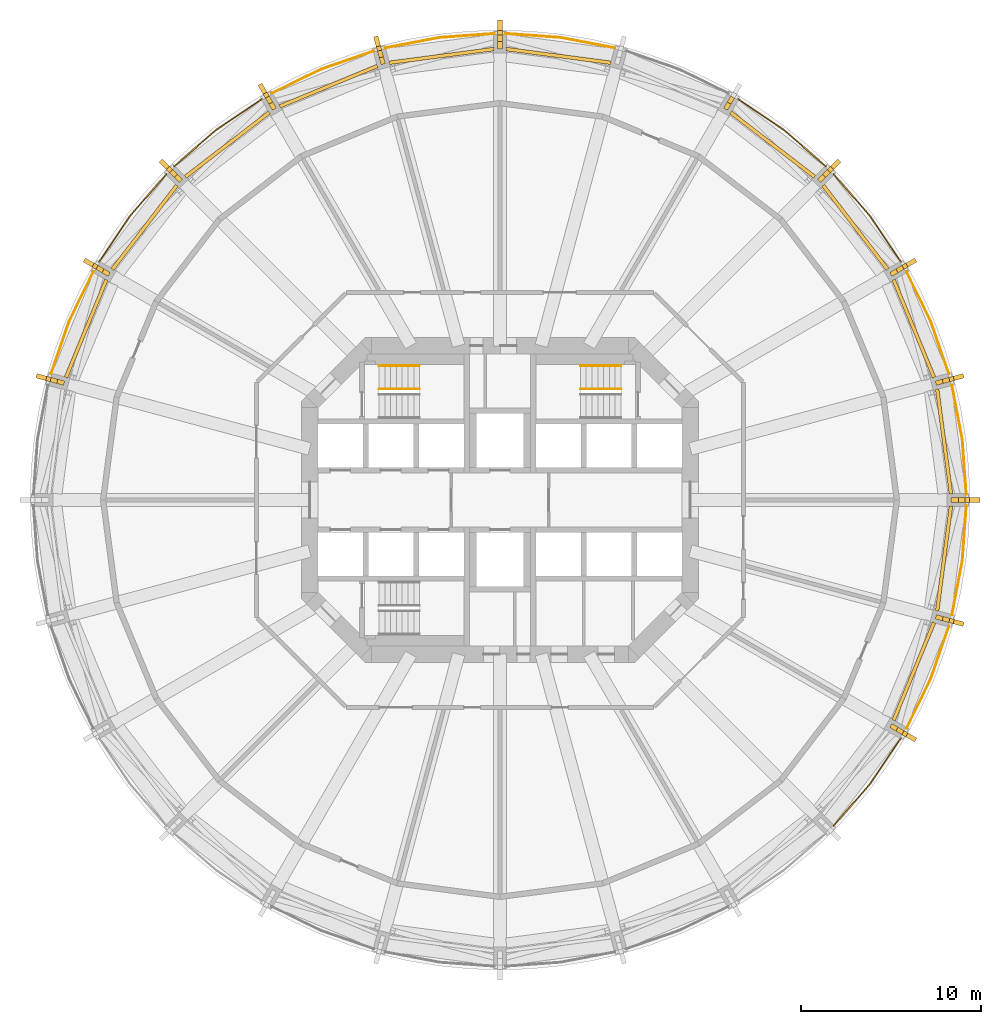
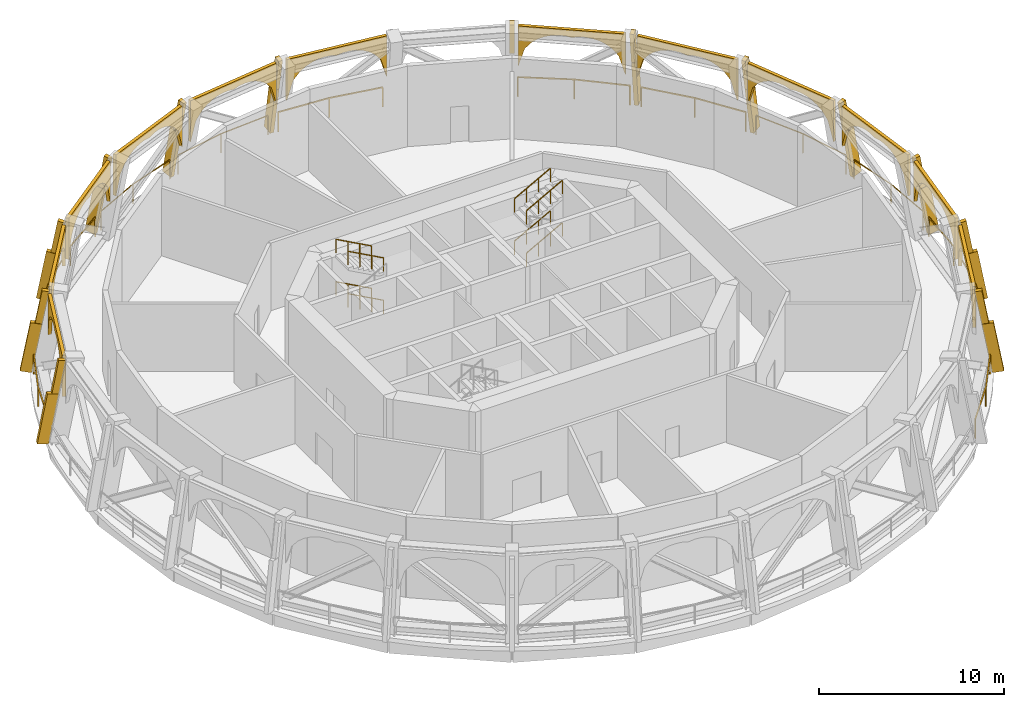
# One storey, part 8 of 9: 37 coverings, 21 railings.
"""IFC4 building model written with IfcOpenShell, lengths in metres."""

from ifc_helpers import new_model, si_unit, direction, frame, origin, origin_2d, place, context, subcontext, project, spatial, polyline, rectangle, outline, extrude, material, layer, layer_set, material_profile, profile_set, type_object, element, save


model = new_model("IFC4")

# Units and contexts
model_context = context("Model", 3, precision=1e-05, world=origin(), true_north=direction((0.0, 1.0)))
body_context = subcontext(model_context, "Body", "Model", "MODEL_VIEW")
ifc_project = project(units=[si_unit("LENGTHUNIT", "METRE"), si_unit("AREAUNIT", "SQUARE_METRE"), si_unit("VOLUMEUNIT", "CUBIC_METRE"), si_unit("PLANEANGLEUNIT", "RADIAN"), si_unit("MASSUNIT", "GRAM", prefix="KILO")], contexts=[model_context])

# Site, building, storey
site_placement = place(None, origin())
site = spatial("IfcSite", under=ifc_project, at=site_placement, CompositionType="ELEMENT")
building_placement = place(site_placement, origin())
building = spatial("IfcBuilding", under=site, at=building_placement, Name="Torre Triforio", CompositionType="ELEMENT")
storey_placement = place(building_placement, frame((0.0, 0.0, 110.60009765625)))
storey = spatial("IfcBuildingStorey", under=building, at=storey_placement, Name="L24", CompositionType="ELEMENT", Elevation=110.60009765625)

# Railings
ifc_material_1 = material(Name="Stainless steel AISI 316", Category="steel")
railing_type_1 = type_object("IfcRailingType", Name="HANDRAIL 920", PredefinedType="HANDRAIL", material=ifc_material_1)
for number, where, name in (
    (1, (-4.4599609375, 7.449951171875, 1.574951171875), "Handrail ST1"),
    (2, (-4.4599609375, 6.14990234375, 1.574951171875), "Handrail ST1"),
    (3, (-4.4599609375, 7.449951171875, 4.375), "Handrail ST1"),
    (4, (-4.4599609375, 6.14990234375, 4.375), "Handrail ST1"),
):
    element("IfcRailing", number, at=place(storey_placement, frame(where)), inside=storey, type_object=railing_type_1, Name=name, PredefinedType="HANDRAIL", context=body_context, shape_type="SweptSolid", body=[
        extrude(rectangle(XDim=0.048095703125, YDim=0.048095703125, at=origin_2d()), frame((0.0, 0.0, 0.89599609375), z_axis=(-0.877394412213, 0.0, 0.479769783768), x_axis=(0.0, -1.0, 0.0)), (0.0, 0.0, 1.0), 2.552978515625),
        extrude(rectangle(XDim=0.0419921875, YDim=0.0419921875, at=origin_2d()), origin(), (0.0, 0.0, 1.0), 0.871826171875),
        extrude(rectangle(XDim=0.0419921875, YDim=0.0419921875, at=origin_2d()), frame((-0.74658203125, 0.0, 0.408203125)), (0.0, 0.0, 1.0), 0.871826171875),
        extrude(rectangle(XDim=0.0419921875, YDim=0.0419921875, at=origin_2d()), frame((-1.493408203125, 0.0, 0.816650390625)), (0.0, 0.0, 1.0), 0.871826171875),
        extrude(rectangle(XDim=0.0419921875, YDim=0.0419921875, at=origin_2d()), frame((-2.239990234375, 0.0, 1.224853515625)), (0.0, 0.0, 1.0), 0.871826171875),
    ])
for number, where, name in (
    (5, (4.4599609375, 7.449951171875, 1.574951171875), "Handrail ST2"),
    (6, (4.4599609375, 6.14990234375, 1.574951171875), "Handrail ST2"),
    (7, (4.4599609375, 7.449951171875, 4.375), "Handrail ST2"),
    (8, (4.4599609375, 6.14990234375, 4.375), "Handrail ST2"),
):
    element("IfcRailing", number, at=place(storey_placement, frame(where)), inside=storey, type_object=railing_type_1, Name=name, PredefinedType="HANDRAIL", context=body_context, shape_type="SweptSolid", body=[
        extrude(rectangle(XDim=0.048095703125, YDim=0.048095703125, at=origin_2d()), frame((0.0, 0.0, 0.89599609375), z_axis=(0.877394412213, 0.0, 0.479769783768), x_axis=(0.0, 1.0, 0.0)), (0.0, 0.0, 1.0), 2.552978515625),
        extrude(rectangle(XDim=0.0419921875, YDim=0.0419921875, at=origin_2d()), origin(), (0.0, 0.0, 1.0), 0.871826171875),
        extrude(rectangle(XDim=0.0419921875, YDim=0.0419921875, at=origin_2d()), frame((0.74658203125, 0.0, 0.408203125)), (0.0, 0.0, 1.0), 0.871826171875),
        extrude(rectangle(XDim=0.0419921875, YDim=0.0419921875, at=origin_2d()), frame((1.493408203125, 0.0, 0.816650390625)), (0.0, 0.0, 1.0), 0.871826171875),
        extrude(rectangle(XDim=0.0419921875, YDim=0.0419921875, at=origin_2d()), frame((2.239990234375, 0.0, 1.224853515625)), (0.0, 0.0, 1.0), 0.871826171875),
    ])

# Coverings
ifc_material_2 = material(Name="Limestone arch panel", Category="masonry")
ifc_layer = layer(ifc_material_2, 0.199951171875)
ifc_layer_set = layer_set([ifc_layer], Name="Limestone arch panel")
covering_type_1 = type_object("IfcCoveringType", Name="Lancet arch cladding panel 200", PredefinedType="CLADDING", material=ifc_layer_set)
covering_1_placement = place(storey_placement, frame((24.51708984375, 3.227783203125, 0.0), z_axis=(0.991450144272, 0.130486058348, 0.0), x_axis=(-0.130486058348, 0.991450144272, 0.0)))
element("IfcCovering", 9, at=covering_1_placement, inside=storey, type_object=covering_type_1, Name="Lancet arch panel L24 bay 01", PredefinedType="CLADDING", context=body_context, shape_type="SweptSolid", body=[
    extrude(outline(polyline([(-2.932861328125, 5.320068359375), (-2.932861328125, 2.60009765625), (-2.566162109375, 3.84765625), (-2.19970703125, 4.28662109375), (-1.8330078125, 4.565673828125), (-1.46630859375, 4.748291015625), (-1.099853515625, 4.857421875), (-0.733154296875, 4.904052734375), (-0.36669921875, 4.89208984375), (0.0, 4.820068359375), (0.36669921875, 4.89208984375), (0.733154296875, 4.904052734375), (1.099853515625, 4.857421875), (1.46630859375, 4.748291015625), (1.8330078125, 4.565673828125), (2.19970703125, 4.28662109375), (2.566162109375, 3.84765625), (2.932861328125, 2.60009765625), (2.932861328125, 5.320068359375), (-2.932861328125, 5.320068359375)])), origin(), (0.0, 0.0, 1.0), 0.2001953125),
])
for number, where, z_axis, x_axis, name in (
    (10, (22.846435546875, 9.46337890625, 0.0), (0.924120904221, 0.382100188932, 0.0), (-0.382100188932, 0.924120904221, 0.0), "Lancet arch panel L24 bay 02"),
    (11, (19.61865234375, 15.053955078125, 0.0), (0.793213368033, 0.608943800998, 0.0), (-0.608943800998, 0.793213368033, 0.0), "Lancet arch panel L24 bay 03"),
    (12, (15.053955078125, 19.61865234375, 0.0), (0.608943800998, 0.793213368033, 0.0), (-0.793213368033, 0.608943800998, 0.0), "Lancet arch panel L24 bay 04"),
):
    element("IfcCovering", number, at=place(storey_placement, frame(where, z_axis=z_axis, x_axis=x_axis)), inside=storey, type_object=covering_type_1, Name=name, PredefinedType="CLADDING", context=body_context, shape_type="SweptSolid", body=[
        extrude(outline(polyline([(-2.932861328125, 5.320068359375), (-2.932861328125, 2.60009765625), (-2.566162109375, 3.84765625), (-2.19970703125, 4.28662109375), (-1.8330078125, 4.565673828125), (-1.46630859375, 4.748291015625), (-1.099853515625, 4.857421875), (-0.733154296875, 4.904052734375), (-0.36669921875, 4.89208984375), (0.0, 4.820068359375), (0.36669921875, 4.89208984375), (0.733154296875, 4.904052734375), (1.099853515625, 4.857421875), (1.46630859375, 4.748291015625), (1.8330078125, 4.565673828125), (2.19970703125, 4.28662109375), (2.566162109375, 3.84765625), (2.932861328125, 2.60009765625), (2.932861328125, 5.320068359375), (-2.932861328125, 5.320068359375)])), origin(), (0.0, 0.0, 1.0), 0.199951171875),
    ])
for number, where, z_axis, x_axis, name in (
    (13, (3.227783203125, 24.51708984375, 0.0), (0.130486058348, 0.991450144272, 0.0), (-0.991450144272, 0.130486058348, 0.0), "Lancet arch panel L24 bay 06"),
    (14, (-3.227783203125, 24.51708984375, 0.0), (-0.130486058348, 0.991450144272, 0.0), (-0.991450144272, -0.130486058348, 0.0), "Lancet arch panel L24 bay 07"),
):
    element("IfcCovering", number, at=place(storey_placement, frame(where, z_axis=z_axis, x_axis=x_axis)), inside=storey, type_object=covering_type_1, Name=name, PredefinedType="CLADDING", context=body_context, shape_type="SweptSolid", body=[
        extrude(outline(polyline([(-2.932861328125, 5.320068359375), (-2.932861328125, 2.60009765625), (-2.566162109375, 3.84765625), (-2.19970703125, 4.28662109375), (-1.8330078125, 4.565673828125), (-1.46630859375, 4.748291015625), (-1.099853515625, 4.857421875), (-0.733154296875, 4.904052734375), (-0.36669921875, 4.89208984375), (0.0, 4.820068359375), (0.36669921875, 4.89208984375), (0.733154296875, 4.904052734375), (1.099853515625, 4.857421875), (1.46630859375, 4.748291015625), (1.8330078125, 4.565673828125), (2.19970703125, 4.28662109375), (2.566162109375, 3.84765625), (2.932861328125, 2.60009765625), (2.932861328125, 5.320068359375), (-2.932861328125, 5.320068359375)])), origin(), (0.0, 0.0, 1.0), 0.2001953125),
    ])
for number, where, z_axis, x_axis, name in (
    (15, (-9.46337890625, 22.846435546875, 0.0), (-0.382100188932, 0.924120904221, 0.0), (-0.924120904221, -0.382100188932, 0.0), "Lancet arch panel L24 bay 08"),
    (16, (-15.053955078125, 19.61865234375, 0.0), (-0.608943800998, 0.793213368033, 0.0), (-0.793213368033, -0.608943800998, 0.0), "Lancet arch panel L24 bay 09"),
    (17, (-19.61865234375, 15.053955078125, 0.0), (-0.793213368033, 0.608943800998, 0.0), (-0.608943800998, -0.793213368033, 0.0), "Lancet arch panel L24 bay 10"),
    (18, (-22.846435546875, 9.46337890625, 0.0), (-0.924120904221, 0.382100188932, 0.0), (-0.382100188932, -0.924120904221, 0.0), "Lancet arch panel L24 bay 11"),
    (19, (22.846435546875, -9.46337890625, 0.0), (0.924120904221, -0.382100188932, 0.0), (0.382100188932, 0.924120904221, 0.0), "Lancet arch panel L24 bay 23"),
):
    element("IfcCovering", number, at=place(storey_placement, frame(where, z_axis=z_axis, x_axis=x_axis)), inside=storey, type_object=covering_type_1, Name=name, PredefinedType="CLADDING", context=body_context, shape_type="SweptSolid", body=[
        extrude(outline(polyline([(-2.932861328125, 5.320068359375), (-2.932861328125, 2.60009765625), (-2.566162109375, 3.84765625), (-2.19970703125, 4.28662109375), (-1.8330078125, 4.565673828125), (-1.46630859375, 4.748291015625), (-1.099853515625, 4.857421875), (-0.733154296875, 4.904052734375), (-0.36669921875, 4.89208984375), (0.0, 4.820068359375), (0.36669921875, 4.89208984375), (0.733154296875, 4.904052734375), (1.099853515625, 4.857421875), (1.46630859375, 4.748291015625), (1.8330078125, 4.565673828125), (2.19970703125, 4.28662109375), (2.566162109375, 3.84765625), (2.932861328125, 2.60009765625), (2.932861328125, 5.320068359375), (-2.932861328125, 5.320068359375)])), origin(), (0.0, 0.0, 1.0), 0.199951171875),
    ])
covering_2_placement = place(storey_placement, frame((24.51708984375, -3.227783203125, 0.0), z_axis=(0.991450144272, -0.130486058348, 0.0), x_axis=(0.130486058348, 0.991450144272, 0.0)))
element("IfcCovering", 20, at=covering_2_placement, inside=storey, type_object=covering_type_1, Name="Lancet arch panel L24 bay 24", PredefinedType="CLADDING", context=body_context, shape_type="SweptSolid", body=[
    extrude(outline(polyline([(-2.932861328125, 5.320068359375), (-2.932861328125, 2.60009765625), (-2.566162109375, 3.84765625), (-2.19970703125, 4.28662109375), (-1.8330078125, 4.565673828125), (-1.46630859375, 4.748291015625), (-1.099853515625, 4.857421875), (-0.733154296875, 4.904052734375), (-0.36669921875, 4.89208984375), (0.0, 4.820068359375), (0.36669921875, 4.89208984375), (0.733154296875, 4.904052734375), (1.099853515625, 4.857421875), (1.46630859375, 4.748291015625), (1.8330078125, 4.565673828125), (2.19970703125, 4.28662109375), (2.566162109375, 3.84765625), (2.932861328125, 2.60009765625), (2.932861328125, 5.320068359375), (-2.932861328125, 5.320068359375)])), origin(), (0.0, 0.0, 1.0), 0.2001953125),
])

# Railings
railing_type_2 = type_object("IfcRailingType", Name="Loggia guard 1300", PredefinedType="GUARDRAIL", material=ifc_material_1)
railing_1_placement = place(storey_placement, frame((25.85009765625, 0.320068359375, 0.0)))
element("IfcRailing", 21, at=railing_1_placement, inside=storey, type_object=railing_type_2, Name="Loggia guard L24 bay 01", PredefinedType="GUARDRAIL", context=body_context, shape_type="SweptSolid", body=[
    extrude(rectangle(XDim=0.050048828125, YDim=0.050048828125, at=origin_2d()), frame((0.0, 0.0, 1.27490234375), z_axis=(-0.072238625319, 0.997387377608, 0.0), x_axis=(-0.997387377608, -0.072238625319, 0.0)), (0.0, 0.0, 1.0), 3.06201171875),
    extrude(rectangle(XDim=0.050048828125, YDim=0.050048828125, at=origin_2d()), frame((-0.22119140625, 3.053955078125, 1.27490234375), z_axis=(-0.188397892972, 0.982092782747, 0.0), x_axis=(-0.982092782747, -0.188397892972, 0.0)), (0.0, 0.0, 1.0), 3.062255859375),
    extrude(rectangle(XDim=0.0400390625, YDim=0.0400390625, at=origin_2d()), origin(), (0.0, 0.0, 1.0), 1.25),
    extrude(rectangle(XDim=0.0400390625, YDim=0.0400390625, at=origin_2d()), frame((-0.22119140625, 3.053955078125, 0.0)), (0.0, 0.0, 1.0), 1.25),
    extrude(rectangle(XDim=0.0400390625, YDim=0.0400390625, at=origin_2d()), frame((-0.798095703125, 6.061279296875, 0.0)), (0.0, 0.0, 1.0), 1.25),
])
railing_2_placement = place(storey_placement, frame((24.886474609375, 6.99951171875, 0.0)))
element("IfcRailing", 22, at=railing_2_placement, inside=storey, type_object=railing_type_2, Name="Loggia guard L24 bay 02", PredefinedType="GUARDRAIL", context=body_context, shape_type="SweptSolid", body=[
    extrude(rectangle(XDim=0.050048828125, YDim=0.050048828125, at=origin_2d()), frame((0.0, 0.0, 1.27490234375), z_axis=(-0.327923737665, 0.944704198295, 0.0), x_axis=(-0.944704198295, -0.327923737665, 0.0)), (0.0, 0.0, 1.0), 3.062255859375),
    extrude(rectangle(XDim=0.050048828125, YDim=0.050048828125, at=origin_2d()), frame((-1.004150390625, 2.892822265625, 1.27490234375), z_axis=(-0.436113094806, 0.899891864914, 0.0), x_axis=(-0.899891864914, -0.436113094806, 0.0)), (0.0, 0.0, 1.0), 3.062255859375),
    extrude(rectangle(XDim=0.0400390625, YDim=0.0400390625, at=origin_2d()), origin(), (0.0, 0.0, 1.0), 1.25),
    extrude(rectangle(XDim=0.0400390625, YDim=0.0400390625, at=origin_2d()), frame((-1.004150390625, 2.892822265625, 0.0)), (0.0, 0.0, 1.0), 1.25),
    extrude(rectangle(XDim=0.0400390625, YDim=0.0400390625, at=origin_2d()), frame((-2.339599609375, 5.6484375, 0.0)), (0.0, 0.0, 1.0), 1.25),
])
railing_3_placement = place(storey_placement, frame((22.226806640625, 13.2021484375, 0.0)))
element("IfcRailing", 23, at=railing_3_placement, inside=storey, type_object=railing_type_2, Name="Loggia guard L24 bay 03", PredefinedType="GUARDRAIL", context=body_context, shape_type="SweptSolid", body=[
    extrude(rectangle(XDim=0.050048828125, YDim=0.050048828125, at=origin_2d()), frame((0.0, 0.0, 1.27490234375), z_axis=(-0.561214776852, 0.827670208624, 0.0), x_axis=(-0.827670208624, -0.561214776852, 0.0)), (0.0, 0.0, 1.0), 3.06201171875),
    extrude(rectangle(XDim=0.050048828125, YDim=0.050048828125, at=origin_2d()), frame((-1.718505859375, 2.534423828125, 1.27490234375), z_axis=(-0.654238218872, 0.75628853817, 0.0), x_axis=(-0.75628853817, -0.654238218872, 0.0)), (0.0, 0.0, 1.0), 3.062255859375),
    extrude(rectangle(XDim=0.0400390625, YDim=0.0400390625, at=origin_2d()), origin(), (0.0, 0.0, 1.0), 1.25),
    extrude(rectangle(XDim=0.0400390625, YDim=0.0400390625, at=origin_2d()), frame((-1.718505859375, 2.534423828125, 0.0)), (0.0, 0.0, 1.0), 1.25),
    extrude(rectangle(XDim=0.0400390625, YDim=0.0400390625, at=origin_2d()), frame((-3.721923828125, 4.850341796875, 0.0)), (0.0, 0.0, 1.0), 1.25),
])
railing_4_placement = place(storey_placement, frame((18.052490234375, 18.5048828125, 0.0)))
element("IfcRailing", 24, at=railing_4_placement, inside=storey, type_object=railing_type_2, Name="Loggia guard L24 bay 04", PredefinedType="GUARDRAIL", context=body_context, shape_type="SweptSolid", body=[
    extrude(rectangle(XDim=0.050048828125, YDim=0.050048828125, at=origin_2d()), frame((0.0, 0.0, 1.27490234375), z_axis=(-0.75628853817, 0.654238218872, 0.0), x_axis=(-0.654238218872, -0.75628853817, 0.0)), (0.0, 0.0, 1.0), 3.062255859375),
    extrude(rectangle(XDim=0.050048828125, YDim=0.050048828125, at=origin_2d()), frame((-2.31591796875, 2.00341796875, 1.27490234375), z_axis=(-0.827670208624, 0.561214776852, 0.0), x_axis=(-0.561214776852, -0.827670208624, 0.0)), (0.0, 0.0, 1.0), 3.06201171875),
    extrude(rectangle(XDim=0.0400390625, YDim=0.0400390625, at=origin_2d()), origin(), (0.0, 0.0, 1.0), 1.25),
    extrude(rectangle(XDim=0.0400390625, YDim=0.0400390625, at=origin_2d()), frame((-2.31591796875, 2.00341796875, 0.0)), (0.0, 0.0, 1.0), 1.25),
    extrude(rectangle(XDim=0.0400390625, YDim=0.0400390625, at=origin_2d()), frame((-4.850341796875, 3.721923828125, 0.0)), (0.0, 0.0, 1.0), 1.25),
])
railing_5_placement = place(storey_placement, frame((6.38134765625, 25.052001953125, 0.0)))
element("IfcRailing", 25, at=railing_5_placement, inside=storey, type_object=railing_type_2, Name="Loggia guard L24 bay 06", PredefinedType="GUARDRAIL", context=body_context, shape_type="SweptSolid", body=[
    extrude(rectangle(XDim=0.050048828125, YDim=0.050048828125, at=origin_2d()), frame((0.0, 0.0, 1.27490234375), z_axis=(-0.982092782747, 0.188397892972, 0.0), x_axis=(-0.188397892972, -0.982092782747, 0.0)), (0.0, 0.0, 1.0), 3.062255859375),
    extrude(rectangle(XDim=0.050048828125, YDim=0.050048828125, at=origin_2d()), frame((-3.00732421875, 0.576904296875, 1.27490234375), z_axis=(-0.997387377608, 0.072238625319, 0.0), x_axis=(-0.072238625319, -0.997387377608, 0.0)), (0.0, 0.0, 1.0), 3.06201171875),
    extrude(rectangle(XDim=0.0400390625, YDim=0.0400390625, at=origin_2d()), origin(), (0.0, 0.0, 1.0), 1.25),
    extrude(rectangle(XDim=0.0400390625, YDim=0.0400390625, at=origin_2d()), frame((-3.00732421875, 0.576904296875, 0.0)), (0.0, 0.0, 1.0), 1.25),
    extrude(rectangle(XDim=0.0400390625, YDim=0.0400390625, at=origin_2d()), frame((-6.061279296875, 0.798095703125, 0.0)), (0.0, 0.0, 1.0), 1.25),
])
railing_6_placement = place(storey_placement, frame((-0.320068359375, 25.85009765625, 0.0)))
element("IfcRailing", 26, at=railing_6_placement, inside=storey, type_object=railing_type_2, Name="Loggia guard L24 bay 07", PredefinedType="GUARDRAIL", context=body_context, shape_type="SweptSolid", body=[
    extrude(rectangle(XDim=0.050048828125, YDim=0.050048828125, at=origin_2d()), frame((0.0, 0.0, 1.27490234375), z_axis=(-0.997387377608, -0.072238625319, 0.0), x_axis=(0.072238625319, -0.997387377608, 0.0)), (0.0, 0.0, 1.0), 3.06201171875),
    extrude(rectangle(XDim=0.050048828125, YDim=0.050048828125, at=origin_2d()), frame((-3.053955078125, -0.22119140625, 1.27490234375), z_axis=(-0.982092782747, -0.188397892972, 0.0), x_axis=(0.188397892972, -0.982092782747, 0.0)), (0.0, 0.0, 1.0), 3.062255859375),
    extrude(rectangle(XDim=0.0400390625, YDim=0.0400390625, at=origin_2d()), origin(), (0.0, 0.0, 1.0), 1.25),
    extrude(rectangle(XDim=0.0400390625, YDim=0.0400390625, at=origin_2d()), frame((-3.053955078125, -0.22119140625, 0.0)), (0.0, 0.0, 1.0), 1.25),
    extrude(rectangle(XDim=0.0400390625, YDim=0.0400390625, at=origin_2d()), frame((-6.061279296875, -0.798095703125, 0.0)), (0.0, 0.0, 1.0), 1.25),
])
railing_7_placement = place(storey_placement, frame((-6.99951171875, 24.886474609375, 0.0)))
element("IfcRailing", 27, at=railing_7_placement, inside=storey, type_object=railing_type_2, Name="Loggia guard L24 bay 08", PredefinedType="GUARDRAIL", context=body_context, shape_type="SweptSolid", body=[
    extrude(rectangle(XDim=0.050048828125, YDim=0.050048828125, at=origin_2d()), frame((0.0, 0.0, 1.27490234375), z_axis=(-0.944704198295, -0.327923737665, 0.0), x_axis=(0.327923737665, -0.944704198295, 0.0)), (0.0, 0.0, 1.0), 3.062255859375),
    extrude(rectangle(XDim=0.050048828125, YDim=0.050048828125, at=origin_2d()), frame((-2.892822265625, -1.004150390625, 1.27490234375), z_axis=(-0.899891864914, -0.436113094806, 0.0), x_axis=(0.436113094806, -0.899891864914, 0.0)), (0.0, 0.0, 1.0), 3.062255859375),
    extrude(rectangle(XDim=0.0400390625, YDim=0.0400390625, at=origin_2d()), origin(), (0.0, 0.0, 1.0), 1.25),
    extrude(rectangle(XDim=0.0400390625, YDim=0.0400390625, at=origin_2d()), frame((-2.892822265625, -1.004150390625, 0.0)), (0.0, 0.0, 1.0), 1.25),
    extrude(rectangle(XDim=0.0400390625, YDim=0.0400390625, at=origin_2d()), frame((-5.6484375, -2.339599609375, 0.0)), (0.0, 0.0, 1.0), 1.25),
])
railing_8_placement = place(storey_placement, frame((-13.2021484375, 22.226806640625, 0.0)))
element("IfcRailing", 28, at=railing_8_placement, inside=storey, type_object=railing_type_2, Name="Loggia guard L24 bay 09", PredefinedType="GUARDRAIL", context=body_context, shape_type="SweptSolid", body=[
    extrude(rectangle(XDim=0.050048828125, YDim=0.050048828125, at=origin_2d()), frame((0.0, 0.0, 1.27490234375), z_axis=(-0.827670208624, -0.561214776852, 0.0), x_axis=(0.561214776852, -0.827670208624, 0.0)), (0.0, 0.0, 1.0), 3.06201171875),
    extrude(rectangle(XDim=0.050048828125, YDim=0.050048828125, at=origin_2d()), frame((-2.534423828125, -1.718505859375, 1.27490234375), z_axis=(-0.75628853817, -0.654238218872, 0.0), x_axis=(0.654238218872, -0.75628853817, 0.0)), (0.0, 0.0, 1.0), 3.062255859375),
    extrude(rectangle(XDim=0.0400390625, YDim=0.0400390625, at=origin_2d()), origin(), (0.0, 0.0, 1.0), 1.25),
    extrude(rectangle(XDim=0.0400390625, YDim=0.0400390625, at=origin_2d()), frame((-2.534423828125, -1.718505859375, 0.0)), (0.0, 0.0, 1.0), 1.25),
    extrude(rectangle(XDim=0.0400390625, YDim=0.0400390625, at=origin_2d()), frame((-4.850341796875, -3.721923828125, 0.0)), (0.0, 0.0, 1.0), 1.25),
])
railing_9_placement = place(storey_placement, frame((-18.5048828125, 18.052490234375, 0.0)))
element("IfcRailing", 29, at=railing_9_placement, inside=storey, type_object=railing_type_2, Name="Loggia guard L24 bay 10", PredefinedType="GUARDRAIL", context=body_context, shape_type="SweptSolid", body=[
    extrude(rectangle(XDim=0.050048828125, YDim=0.050048828125, at=origin_2d()), frame((0.0, 0.0, 1.27490234375), z_axis=(-0.654238218872, -0.75628853817, 0.0), x_axis=(0.75628853817, -0.654238218872, 0.0)), (0.0, 0.0, 1.0), 3.062255859375),
    extrude(rectangle(XDim=0.050048828125, YDim=0.050048828125, at=origin_2d()), frame((-2.00341796875, -2.31591796875, 1.27490234375), z_axis=(-0.561214776852, -0.827670208624, 0.0), x_axis=(0.827670208624, -0.561214776852, 0.0)), (0.0, 0.0, 1.0), 3.06201171875),
    extrude(rectangle(XDim=0.0400390625, YDim=0.0400390625, at=origin_2d()), origin(), (0.0, 0.0, 1.0), 1.25),
    extrude(rectangle(XDim=0.0400390625, YDim=0.0400390625, at=origin_2d()), frame((-2.00341796875, -2.31591796875, 0.0)), (0.0, 0.0, 1.0), 1.25),
    extrude(rectangle(XDim=0.0400390625, YDim=0.0400390625, at=origin_2d()), frame((-3.721923828125, -4.850341796875, 0.0)), (0.0, 0.0, 1.0), 1.25),
])
railing_10_placement = place(storey_placement, frame((-22.546875, 12.64794921875, 0.0)))
element("IfcRailing", 30, at=railing_10_placement, inside=storey, type_object=railing_type_2, Name="Loggia guard L24 bay 11", PredefinedType="GUARDRAIL", context=body_context, shape_type="SweptSolid", body=[
    extrude(rectangle(XDim=0.050048828125, YDim=0.050048828125, at=origin_2d()), frame((0.0, 0.0, 1.27490234375), z_axis=(-0.436113094806, -0.899891864914, 0.0), x_axis=(0.899891864914, -0.436113094806, 0.0)), (0.0, 0.0, 1.0), 3.062255859375),
    extrude(rectangle(XDim=0.050048828125, YDim=0.050048828125, at=origin_2d()), frame((-1.33544921875, -2.755615234375, 1.27490234375), z_axis=(-0.327923737665, -0.944704198295, 0.0), x_axis=(0.944704198295, -0.327923737665, 0.0)), (0.0, 0.0, 1.0), 3.062255859375),
    extrude(rectangle(XDim=0.0400390625, YDim=0.0400390625, at=origin_2d()), origin(), (0.0, 0.0, 1.0), 1.25),
    extrude(rectangle(XDim=0.0400390625, YDim=0.0400390625, at=origin_2d()), frame((-1.33544921875, -2.755615234375, 0.0)), (0.0, 0.0, 1.0), 1.25),
    extrude(rectangle(XDim=0.0400390625, YDim=0.0400390625, at=origin_2d()), frame((-2.339599609375, -5.6484375, 0.0)), (0.0, 0.0, 1.0), 1.25),
])
railing_11_placement = place(storey_placement, frame((18.5048828125, -18.052490234375, 0.0)))
element("IfcRailing", 31, at=railing_11_placement, inside=storey, type_object=railing_type_2, Name="Loggia guard L24 bay 22", PredefinedType="GUARDRAIL", context=body_context, shape_type="SweptSolid", body=[
    extrude(rectangle(XDim=0.050048828125, YDim=0.050048828125, at=origin_2d()), frame((0.0, 0.0, 1.27490234375), z_axis=(0.654238218872, 0.75628853817, 0.0), x_axis=(-0.75628853817, 0.654238218872, 0.0)), (0.0, 0.0, 1.0), 3.062255859375),
    extrude(rectangle(XDim=0.050048828125, YDim=0.050048828125, at=origin_2d()), frame((2.00341796875, 2.31591796875, 1.27490234375), z_axis=(0.561214776852, 0.827670208624, 0.0), x_axis=(-0.827670208624, 0.561214776852, 0.0)), (0.0, 0.0, 1.0), 3.06201171875),
    extrude(rectangle(XDim=0.0400390625, YDim=0.0400390625, at=origin_2d()), origin(), (0.0, 0.0, 1.0), 1.25),
    extrude(rectangle(XDim=0.0400390625, YDim=0.0400390625, at=origin_2d()), frame((2.00341796875, 2.31591796875, 0.0)), (0.0, 0.0, 1.0), 1.25),
    extrude(rectangle(XDim=0.0400390625, YDim=0.0400390625, at=origin_2d()), frame((3.721923828125, 4.850341796875, 0.0)), (0.0, 0.0, 1.0), 1.25),
])
railing_12_placement = place(storey_placement, frame((22.546875, -12.64794921875, 0.0)))
element("IfcRailing", 32, at=railing_12_placement, inside=storey, type_object=railing_type_2, Name="Loggia guard L24 bay 23", PredefinedType="GUARDRAIL", context=body_context, shape_type="SweptSolid", body=[
    extrude(rectangle(XDim=0.050048828125, YDim=0.050048828125, at=origin_2d()), frame((0.0, 0.0, 1.27490234375), z_axis=(0.436113094806, 0.899891864914, 0.0), x_axis=(-0.899891864914, 0.436113094806, 0.0)), (0.0, 0.0, 1.0), 3.062255859375),
    extrude(rectangle(XDim=0.050048828125, YDim=0.050048828125, at=origin_2d()), frame((1.33544921875, 2.755615234375, 1.27490234375), z_axis=(0.327923737665, 0.944704198295, 0.0), x_axis=(-0.944704198295, 0.327923737665, 0.0)), (0.0, 0.0, 1.0), 3.062255859375),
    extrude(rectangle(XDim=0.0400390625, YDim=0.0400390625, at=origin_2d()), origin(), (0.0, 0.0, 1.0), 1.25),
    extrude(rectangle(XDim=0.0400390625, YDim=0.0400390625, at=origin_2d()), frame((1.33544921875, 2.755615234375, 0.0)), (0.0, 0.0, 1.0), 1.25),
    extrude(rectangle(XDim=0.0400390625, YDim=0.0400390625, at=origin_2d()), frame((2.339599609375, 5.6484375, 0.0)), (0.0, 0.0, 1.0), 1.25),
])
railing_13_placement = place(storey_placement, frame((25.052001953125, -6.38134765625, 0.0)))
element("IfcRailing", 33, at=railing_13_placement, inside=storey, type_object=railing_type_2, Name="Loggia guard L24 bay 24", PredefinedType="GUARDRAIL", context=body_context, shape_type="SweptSolid", body=[
    extrude(rectangle(XDim=0.050048828125, YDim=0.050048828125, at=origin_2d()), frame((0.0, 0.0, 1.27490234375), z_axis=(0.188397892972, 0.982092782747, 0.0), x_axis=(-0.982092782747, 0.188397892972, 0.0)), (0.0, 0.0, 1.0), 3.062255859375),
    extrude(rectangle(XDim=0.050048828125, YDim=0.050048828125, at=origin_2d()), frame((0.576904296875, 3.00732421875, 1.27490234375), z_axis=(0.072238625319, 0.997387377608, 0.0), x_axis=(-0.997387377608, 0.072238625319, 0.0)), (0.0, 0.0, 1.0), 3.06201171875),
    extrude(rectangle(XDim=0.0400390625, YDim=0.0400390625, at=origin_2d()), origin(), (0.0, 0.0, 1.0), 1.25),
    extrude(rectangle(XDim=0.0400390625, YDim=0.0400390625, at=origin_2d()), frame((0.576904296875, 3.00732421875, 0.0)), (0.0, 0.0, 1.0), 1.25),
    extrude(rectangle(XDim=0.0400390625, YDim=0.0400390625, at=origin_2d()), frame((0.798095703125, 6.061279296875, 0.0)), (0.0, 0.0, 1.0), 1.25),
])

# Coverings
ifc_material_3 = material(Name="Limestone fin", Category="masonry")
ifc_material_profile_1 = material_profile(ifc_material_3, rectangle(XDim=0.39990234375, YDim=0.25, at=origin_2d()), Name="FIN 400x250")
ifc_profile_set_1 = profile_set([ifc_material_profile_1], Name="Limestone fin")
covering_type_2 = type_object("IfcCoveringType", Name="Stone fin 400 x 250", PredefinedType="CLADDING", material=ifc_profile_set_1)
for number, where, z_axis, x_axis, name in (
    (34, (25.59033203125, 0.0, 3.19189453125), (-0.175853182915, 0.0, 0.98441640481), (0.98441640481, 0.0, 0.175853182915), "Stone fin C01 L24 upper"),
    (35, (24.71826171875, 6.623291015625, 3.19189453125), (-0.169757293841, -0.045517092095, 0.984434180387), (0.950847308954, 0.254951074856, 0.175753647146), "Stone fin C02 L24 upper"),
    (36, (22.161865234375, 12.795166015625, 3.19189453125), (-0.152248266024, -0.087983233852, 0.98441831355), (0.852330826531, 0.492556167557, 0.175842497555), "Stone fin C03 L24 upper"),
    (37, (18.09521484375, 18.09521484375, 3.19189453125), (-0.124350780636, -0.124350780636, 0.984415444165), (0.696086836074, 0.696086836074, 0.175858560467), "Stone fin C04 L24 upper"),
    (38, (12.795166015625, 22.161865234375, 3.19189453125), (-0.087983233852, -0.152248266024, 0.98441831355), (0.492556167557, 0.852330826531, 0.175842497555), "Stone fin C05 L24 upper"),
    (39, (0.0, 25.59033203125, 3.19189453125), (0.0, -0.175853182915, 0.98441640481), (0.0, 0.98441640481, 0.175853182915), "Stone fin C07 L24 upper"),
    (40, (-6.623291015625, 24.71826171875, 3.19189453125), (0.045517092095, -0.169757293841, 0.984434180387), (-0.254951074856, 0.950847308954, 0.175753647146), "Stone fin C08 L24 upper"),
    (41, (-12.795166015625, 22.161865234375, 3.19189453125), (0.087983233852, -0.152248266024, 0.98441831355), (-0.492556167557, 0.852330826531, 0.175842497555), "Stone fin C09 L24 upper"),
    (42, (-18.09521484375, 18.09521484375, 3.19189453125), (0.124350780636, -0.124350780636, 0.984415444165), (-0.696086836074, 0.696086836074, 0.175858560467), "Stone fin C10 L24 upper"),
    (43, (-22.161865234375, 12.795166015625, 3.19189453125), (0.152248266024, -0.087983233852, 0.98441831355), (-0.852330826531, 0.492556167557, 0.175842497555), "Stone fin C11 L24 upper"),
    (44, (-24.71826171875, 6.623291015625, 3.19189453125), (0.169757293841, -0.045517092095, 0.984434180387), (-0.950847308954, 0.254951074856, 0.175753647146), "Stone fin C12 L24 upper"),
    (45, (22.161865234375, -12.795166015625, 3.19189453125), (-0.152248266024, 0.087983233852, 0.98441831355), (0.852330826531, -0.492556167557, 0.175842497555), "Stone fin C23 L24 upper"),
    (46, (24.71826171875, -6.623291015625, 3.19189453125), (-0.169757293841, 0.045517092095, 0.984434180387), (0.950847308954, -0.254951074856, 0.175753647146), "Stone fin C24 L24 upper"),
):
    element("IfcCovering", number, at=place(storey_placement, frame(where, z_axis=z_axis, x_axis=x_axis)), inside=storey, type_object=covering_type_2, Name=name, PredefinedType="CLADDING", context=body_context, shape_type="SweptSolid", body=[
        extrude(rectangle(XDim=0.39990234375, YDim=0.25, at=origin_2d()), origin(), (0.0, 0.0, 1.0), 2.16162109375),
    ])
ifc_material_profile_2 = material_profile(ifc_material_3, rectangle(XDim=0.64990234375, YDim=0.25, at=origin_2d()), Name="FIN 650x250")
ifc_profile_set_2 = profile_set([ifc_material_profile_2], Name="Limestone fin")
covering_type_3 = type_object("IfcCoveringType", Name="Stone fin 650 x 250", PredefinedType="CLADDING", material=ifc_profile_set_2)
for number, where, z_axis, x_axis, name in (
    (47, (26.287353515625, 0.0, 0.0), (-0.175816698922, 0.0, 0.984422921503), (0.984422921503, 0.0, 0.175816698922), "Stone fin C01 L24"),
    (48, (25.3916015625, 6.8037109375, 0.0), (-0.169793566015, -0.04555437137, 0.984426200479), (0.950800994519, 0.255092949749, 0.175798338476), "Stone fin C02 L24"),
    (49, (22.765380859375, 13.1435546875, 0.0), (-0.152249777991, -0.087871162669, 0.984428089742), (0.852613169287, 0.492086829158, 0.175787758752), "Stone fin C03 L24"),
    (50, (18.587890625, 18.587890625, 0.0), (-0.1243142966, -0.1243142966, 0.984424660054), (0.696093352691, 0.696093352691, 0.175806964249), "Stone fin C04 L24"),
    (51, (0.0, 26.287353515625, 0.0), (0.0, -0.175816698922, 0.984422921503), (0.0, 0.984422921503, 0.175816698922), "Stone fin C07 L24"),
    (52, (-6.8037109375, 25.3916015625, 0.0), (0.04555437137, -0.169793566015, 0.984426200479), (-0.255092949749, 0.950800994519, 0.175798338476), "Stone fin C08 L24"),
    (53, (-13.1435546875, 22.765380859375, 0.0), (0.087871162669, -0.152249777991, 0.984428089742), (-0.492086829158, 0.852613169287, 0.175787758752), "Stone fin C09 L24"),
    (54, (-18.587890625, 18.587890625, 0.0), (0.1243142966, -0.1243142966, 0.984424660054), (-0.696093352691, 0.696093352691, 0.175806964249), "Stone fin C10 L24"),
    (55, (-22.765380859375, 13.1435546875, 0.0), (0.152249777991, -0.087871162669, 0.984428089742), (-0.852613169287, 0.492086829158, 0.175787758752), "Stone fin C11 L24"),
    (56, (-25.3916015625, 6.8037109375, 0.0), (0.169793566015, -0.04555437137, 0.984426200479), (-0.950800994519, 0.255092949749, 0.175798338476), "Stone fin C12 L24"),
    (57, (22.765380859375, -13.1435546875, 0.0), (-0.152249777991, 0.087871162669, 0.984428089742), (0.852613169287, -0.492086829158, 0.175787758752), "Stone fin C23 L24"),
    (58, (25.3916015625, -6.8037109375, 0.0), (-0.169793566015, 0.04555437137, 0.984426200479), (0.950800994519, -0.255092949749, 0.175798338476), "Stone fin C24 L24"),
):
    element("IfcCovering", number, at=place(storey_placement, frame(where, z_axis=z_axis, x_axis=x_axis)), inside=storey, type_object=covering_type_3, Name=name, PredefinedType="CLADDING", context=body_context, shape_type="SweptSolid", body=[
        extrude(rectangle(XDim=0.64990234375, YDim=0.25, at=origin_2d()), origin(), (0.0, 0.0, 1.0), 3.242431640625),
    ])

save(model, "model.ifc")
